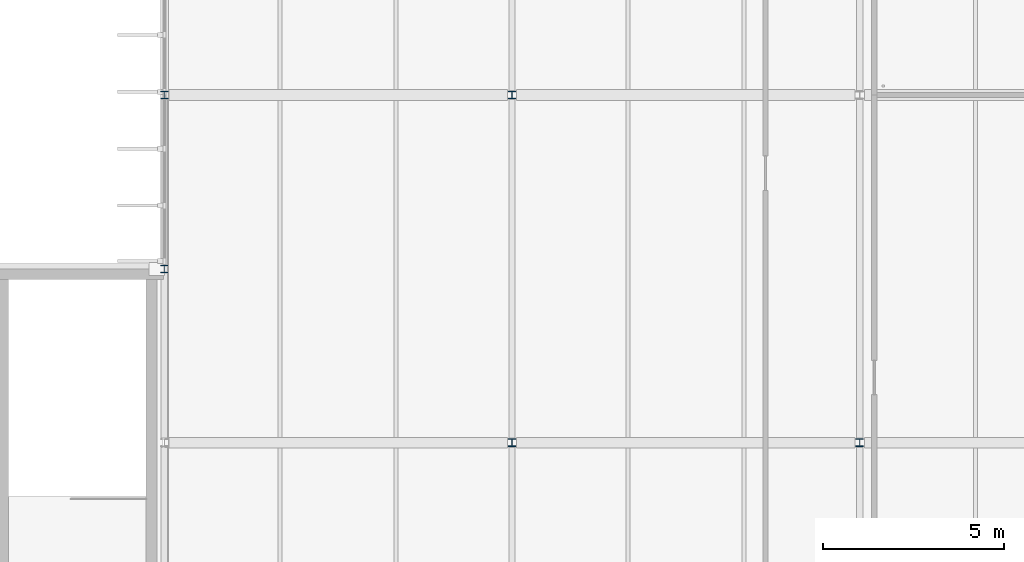
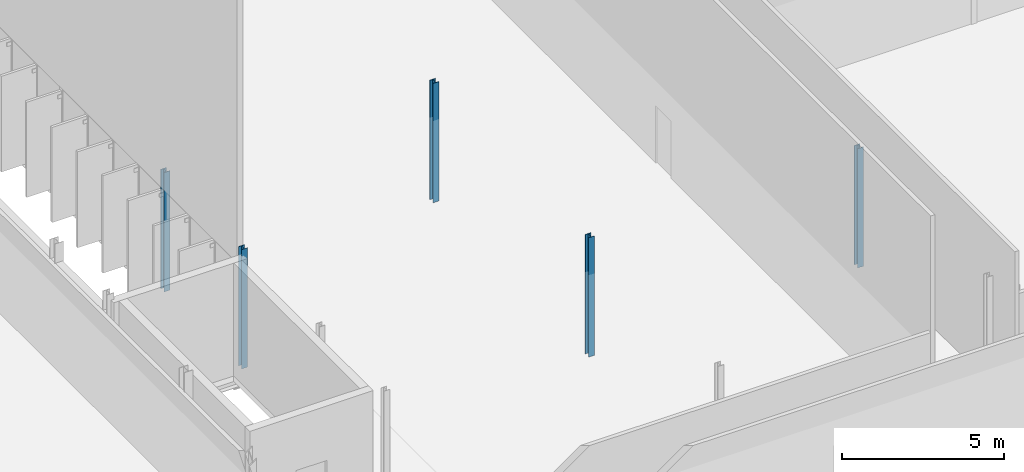
# One storey, part 14 of 110: 5 columns.
"""IFC4 building model written with IfcOpenShell, lengths in metres."""

from ifc_helpers import new_model, si_unit, direction, frame, origin, origin_2d, place, context, subcontext, project, spatial, i_section, extrude, material, material_profile, profile_set, type_object, element, save


model = new_model("IFC4")

# Units and contexts
model_context = context("Model", 3, precision=1e-05, world=origin(), true_north=direction((0.0, 1.0)))
body_context = subcontext(model_context, "Body", "Model", "MODEL_VIEW")
ifc_project = project(units=[si_unit("LENGTHUNIT", "METRE"), si_unit("AREAUNIT", "SQUARE_METRE"), si_unit("VOLUMEUNIT", "CUBIC_METRE"), si_unit("PLANEANGLEUNIT", "RADIAN"), si_unit("MASSUNIT", "GRAM", prefix="KILO")], contexts=[model_context])

# Site, building, storey
site_placement = place(None, origin())
site = spatial("IfcSite", under=ifc_project, at=site_placement, CompositionType="ELEMENT")
building_placement = place(site_placement, origin())
building = spatial("IfcBuilding", under=site, at=building_placement, Name="Dunescarp Central Library", CompositionType="ELEMENT")
storey_placement = place(building_placement, frame((0.0, 0.0, 9.60009765625)))
storey = spatial("IfcBuildingStorey", under=building, at=storey_placement, Name="L02", CompositionType="ELEMENT", Elevation=9.60009765625)

# Columns
ifc_material = material(Name="Steel S355JR", Category="steel")
ifc_material_profile_1 = material_profile(ifc_material, i_section(OverallWidth=0.20361328125, OverallDepth=0.203125, WebThickness=0.007080078125, FlangeThickness=0.010986328125, at=origin_2d()), Name="UC 203x203x46")
ifc_profile_set_1 = profile_set([ifc_material_profile_1], Name="Steel S355JR")
column_type_1 = type_object("IfcColumnType", Name="STR-COL-UC203X46", PredefinedType="COLUMN", material=ifc_profile_set_1)
column_placement = place(storey_placement, frame((129.60009765625, 25.60009765625, 0.0), z_axis=(0.0, 0.0, 1.0), x_axis=(1.0, 0.0, 0.0)))
element("IfcColumn", 1, at=column_placement, inside=storey, type_object=column_type_1, Name="L02 column V5L-256", PredefinedType="COLUMN", context=body_context, shape_type="SweptSolid", body=[
    extrude(i_section(OverallWidth=0.20361328125, OverallDepth=0.203125, WebThickness=0.007080078125, FlangeThickness=0.010986328125, at=origin_2d()), origin(), (0.0, 0.0, 1.0), 4.5),
])
ifc_material_profile_2 = material_profile(ifc_material, i_section(OverallWidth=0.206298828125, OverallDepth=0.2158203125, WebThickness=0.010009765625, FlangeThickness=0.017333984375, at=origin_2d()), Name="UC 203x203x71")
ifc_profile_set_2 = profile_set([ifc_material_profile_2], Name="Steel S355JR")
column_type_2 = type_object("IfcColumnType", Name="STR-COL-UC203X71", PredefinedType="COLUMN", material=ifc_profile_set_2)
for number, where, z_axis, x_axis, name in (
    (2, (129.60009765625, 30.39990234375, 0.0), (0.0, 0.0, 1.0), (1.0, 0.0, 0.0), "L02 column V5-1296-304"),
    (3, (139.199951171875, 20.800048828125, 0.0), (0.0, 0.0, 1.0), (1.0, 0.0, 0.0), "L02 column V5-1392-208"),
    (4, (139.199951171875, 30.39990234375, 0.0), (0.0, 0.0, 1.0), (1.0, 0.0, 0.0), "L02 column V5-1392-304"),
    (5, (148.800048828125, 20.800048828125, 0.0), (0.0, 0.0, 1.0), (1.0, 0.0, 0.0), "L02 column V5-1488-208"),
):
    element("IfcColumn", number, at=place(storey_placement, frame(where, z_axis=z_axis, x_axis=x_axis)), inside=storey, type_object=column_type_2, Name=name, PredefinedType="COLUMN", context=body_context, shape_type="SweptSolid", body=[
        extrude(i_section(OverallWidth=0.206298828125, OverallDepth=0.2158203125, WebThickness=0.010009765625, FlangeThickness=0.017333984375, at=origin_2d()), origin(), (0.0, 0.0, 1.0), 4.5),
    ])

save(model, "model.ifc")
